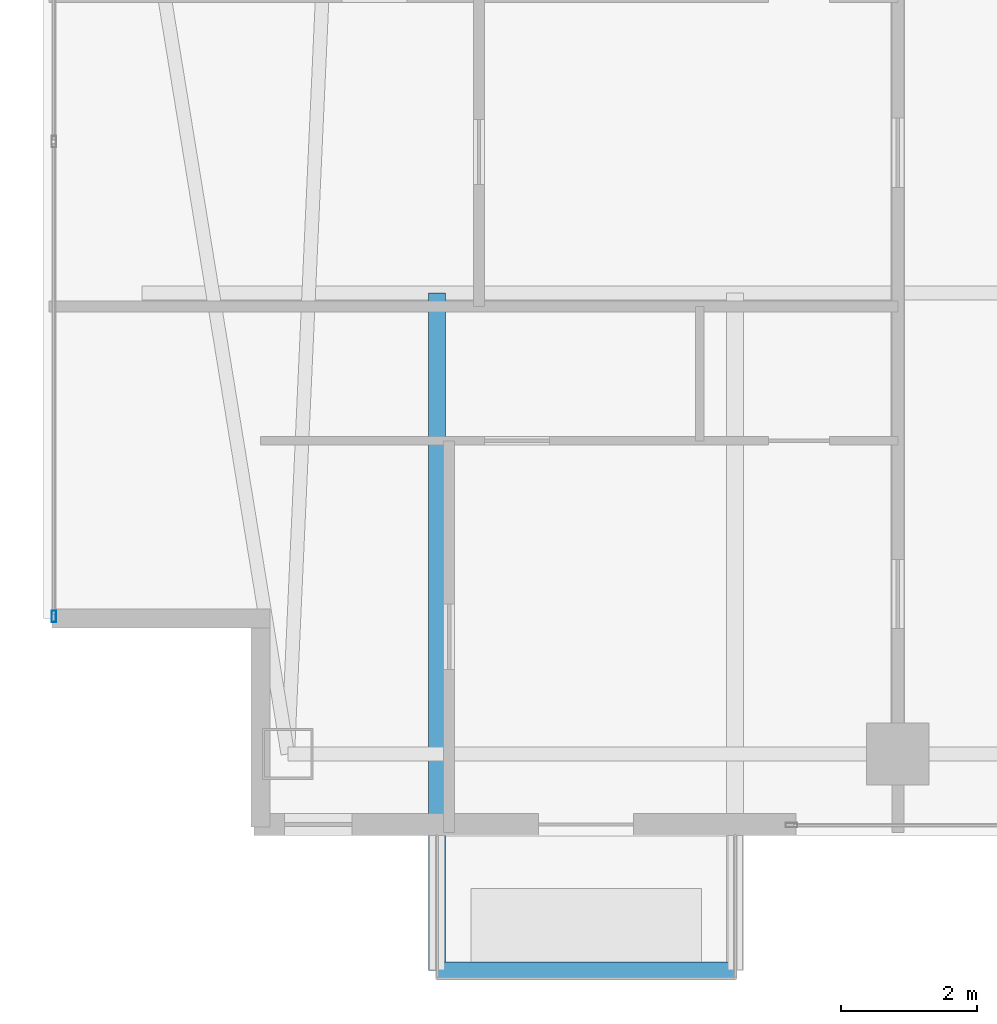
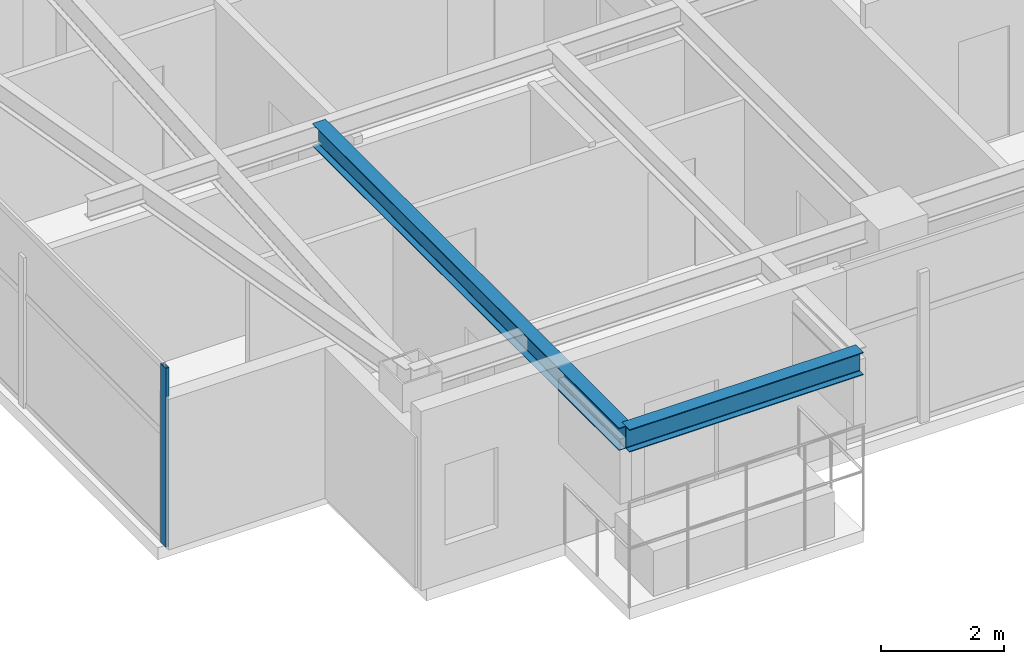
# One storey, part 2 of 29: 2 beams, 1 member, 1 element without a shape of its own.
"""IFC4 building model written with IfcOpenShell, lengths in metres."""

from ifc_helpers import new_model, si_unit, direction, frame, origin, origin_2d, place, context, subcontext, project, spatial, hollow_rectangle, i_section, extrude, material, layer, layer_set, material_profile, profile_set, type_object, element, aggregate, save


model = new_model("IFC4")

# Units and contexts
model_context = context("Model", 3, precision=1e-05, world=origin(), true_north=direction((0.0, 1.0)))
body_context = subcontext(model_context, "Body", "Model", "MODEL_VIEW")
ifc_project = project(units=[si_unit("LENGTHUNIT", "METRE"), si_unit("AREAUNIT", "SQUARE_METRE"), si_unit("VOLUMEUNIT", "CUBIC_METRE"), si_unit("PLANEANGLEUNIT", "RADIAN"), si_unit("MASSUNIT", "GRAM", prefix="KILO")], contexts=[model_context])

# Site, building, storey
site_placement = place(None, origin())
site = spatial("IfcSite", under=ifc_project, at=site_placement, CompositionType="ELEMENT")
building_placement = place(site_placement, origin())
building = spatial("IfcBuilding", under=site, at=building_placement, Name="Calvorn Quay Hotel", CompositionType="ELEMENT")
storey_placement = place(building_placement, frame((0.0, 0.0, 247.60009765625)))
storey = spatial("IfcBuildingStorey", under=building, at=storey_placement, Name="L61", CompositionType="ELEMENT", Elevation=247.60009765625)

# Beams
ifc_material_1 = material(Name="Steel Q355B", Category="steel")
ifc_material_profile_1 = material_profile(ifc_material_1, i_section(OverallWidth=0.25, OverallDepth=0.449951171875, WebThickness=0.011962890625, FlangeThickness=0.01611328125, FilletRadius=0.01611328125, at=origin_2d()), Name="HN450x250x12x16")
ifc_profile_set_1 = profile_set([ifc_material_profile_1], Name="Steel Q355B")
beam_type = type_object("IfcBeamType", Name="BM-CANT-BALC", PredefinedType="BEAM", material=ifc_profile_set_1)
beam_1_placement = place(storey_placement, frame((5.800048828125, 10.39990234375, 3.31494140625), z_axis=(0.0, -1.0, 0.0), x_axis=(1.0, 0.0, 0.0)))
element("IfcBeam", 1, at=beam_1_placement, inside=storey, type_object=beam_type, Name="Cantilever Balcony Beam BCB-L62-2A", PredefinedType="BEAM", context=body_context, shape_type="SweptSolid", body=[
    extrude(i_section(OverallWidth=0.25, OverallDepth=0.449951171875, WebThickness=0.011962890625, FlangeThickness=0.01611328125, FilletRadius=0.01611328125, at=origin_2d()), origin(), (0.0, 0.0, 1.0), 9.989990234375),
])
beam_2_placement = place(storey_placement, frame((5.800048828125, 0.409912109375, 3.31494140625), z_axis=(1.0, 0.0, 0.0), x_axis=(0.0, 1.0, 0.0)))
element("IfcBeam", 2, at=beam_2_placement, inside=storey, type_object=beam_type, Name="Beam BCBO-L62-2", PredefinedType="BEAM", context=body_context, shape_type="SweptSolid", body=[
    extrude(i_section(OverallWidth=0.25, OverallDepth=0.449951171875, WebThickness=0.011962890625, FlangeThickness=0.01611328125, FilletRadius=0.01611328125, at=origin_2d()), origin(), (0.0, 0.0, 1.0), 4.39990234375),
])

# Curtain wall, member
ifc_material_2 = material(Name="Champagne Bronze Anodised Aluminium and Low-E Glass", Category="aluminium")
ifc_layer = layer(ifc_material_2, 0.219970703125)
ifc_layer_set = layer_set([ifc_layer], Name="CW-SYS-Z4")
curtain_wall_type = type_object("IfcCurtainWallType", Name="CW-SYS-Z4", PredefinedType="NOTDEFINED", material=ifc_layer_set)
curtain_wall_placement = place(storey_placement, origin())
curtain_wall = element("IfcCurtainWall", 3, at=curtain_wall_placement, inside=storey, type_object=curtain_wall_type, Name="Tower West Curtain Wall (L61)", PredefinedType="NOTDEFINED")
ifc_material_3 = material(Name="Champagne Bronze Anodised Aluminium 6063-T6", Category="aluminium")
ifc_material_profile_2 = material_profile(ifc_material_3, hollow_rectangle(XDim=0.06494140625, YDim=0.169921875, WallThickness=0.00341796875, at=origin_2d()), Name="ALU-M170x65x3.5")
ifc_profile_set_2 = profile_set([ifc_material_profile_2], Name="Champagne Bronze Anodised Aluminium 6063-T6")
member_type = type_object("IfcMemberType", Name="CW-SYS-Z4-MUL", PredefinedType="MULLION", material=ifc_profile_set_2)
member_placement = place(storey_placement, frame((0.14990234375, 5.6298828125, 0.0), z_axis=(0.0, 0.0, 1.0), x_axis=(-1.0, 0.0, 0.0)))
member = element("IfcMember", 4, at=member_placement, type_object=member_type, Name="CW-L61-W mullion 1", PredefinedType="MULLION", context=body_context, shape_type="SweptSolid", body=[
    extrude(hollow_rectangle(XDim=0.06494140625, YDim=0.169921875, WallThickness=0.00341796875, at=origin_2d()), origin(), (0.0, 0.0, 1.0), 3.559814453125),
])
aggregate(curtain_wall, [member])

save(model, "model.ifc")
